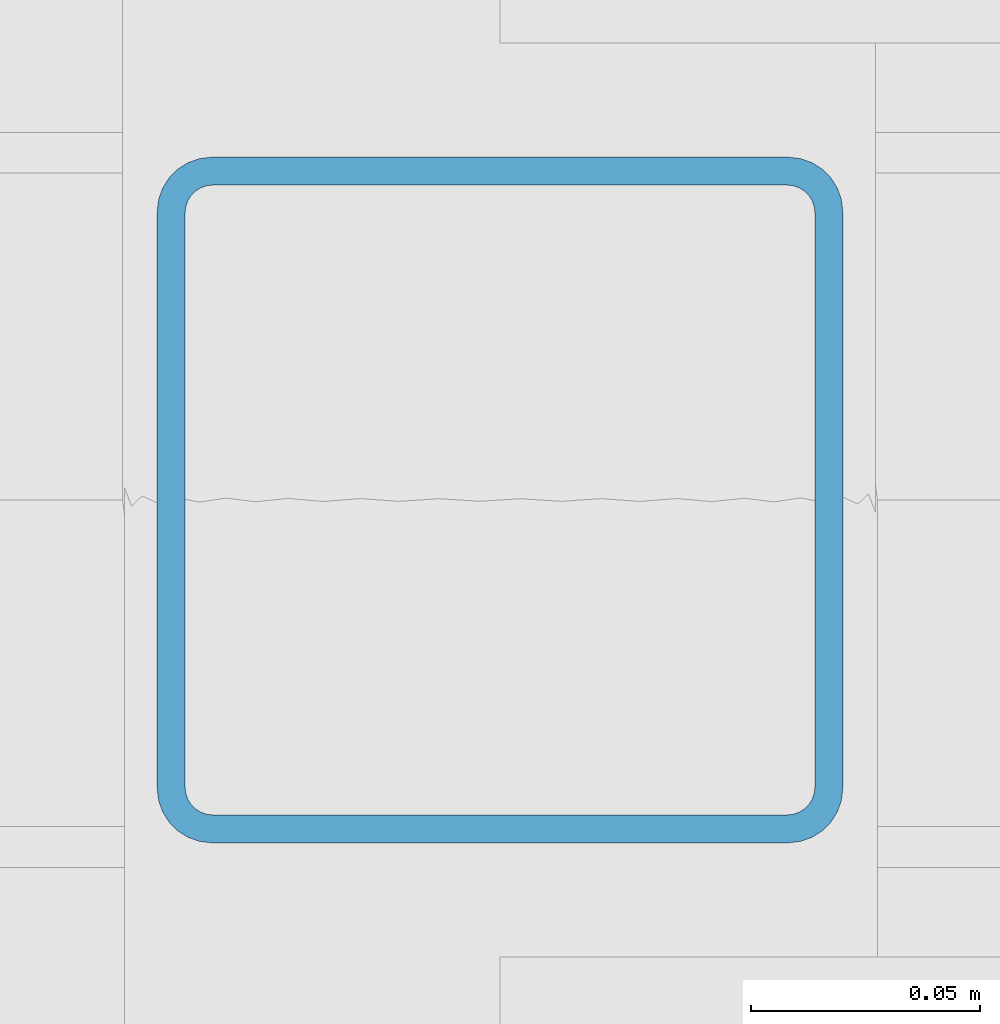
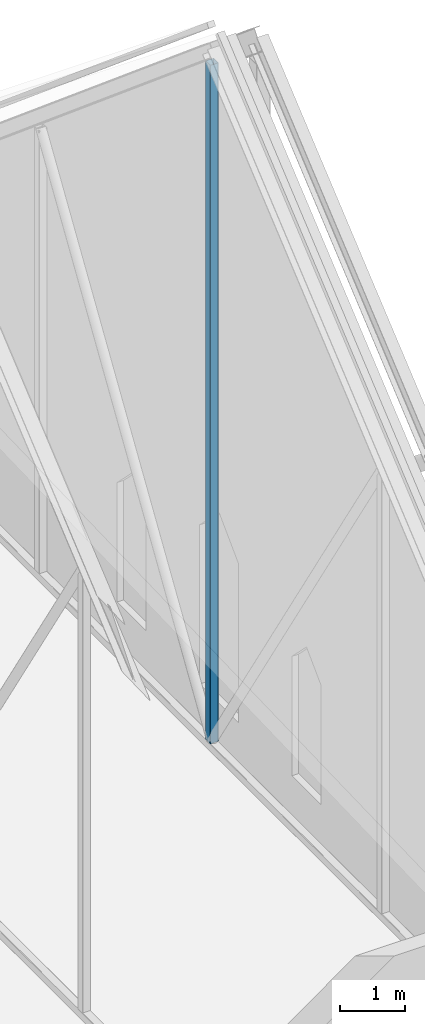
# One storey, part 15 of 29: 1 member.
"""IFC4 building model written with IfcOpenShell, lengths in metres."""

from ifc_helpers import new_model, si_unit, direction, frame, origin, origin_2d, place, context, subcontext, project, spatial, hollow_rectangle, extrude, material, material_profile, profile_set, type_object, element, save


model = new_model("IFC4")

# Units and contexts
model_context = context("Model", 3, precision=1e-05, world=origin(), true_north=direction((0.0, 1.0)))
body_context = subcontext(model_context, "Body", "Model", "MODEL_VIEW")
ifc_project = project(units=[si_unit("LENGTHUNIT", "METRE"), si_unit("AREAUNIT", "SQUARE_METRE"), si_unit("VOLUMEUNIT", "CUBIC_METRE"), si_unit("PLANEANGLEUNIT", "RADIAN"), si_unit("MASSUNIT", "GRAM", prefix="KILO")], contexts=[model_context])

# Site, building, storey
site_placement = place(None, origin())
site = spatial("IfcSite", under=ifc_project, at=site_placement, CompositionType="ELEMENT")
building_placement = place(site_placement, origin())
building = spatial("IfcBuilding", under=site, at=building_placement, Name="Silangan Lancet Faculty of Sciences", CompositionType="ELEMENT")
storey_placement = place(building_placement, frame((0.0, 0.0, 54.300048828125)))
storey = spatial("IfcBuildingStorey", under=building, at=storey_placement, Name="L11", CompositionType="ELEMENT", Elevation=54.300048828125)

# Member
ifc_material = material(Name="Steel STKR400", Category="steel")
ifc_material_profile = material_profile(ifc_material, hollow_rectangle(XDim=0.14990234375, YDim=0.14990234375, WallThickness=0.006103515625, InnerFilletRadius=0.006103515625, OuterFilletRadius=0.011962890625, at=origin_2d()), Name="SHS 150x150x6.0")
ifc_profile_set = profile_set([ifc_material_profile], Name="Steel STKR400")
member_type = type_object("IfcMemberType", Name="Truss post SHS 150x150x6.0", PredefinedType="POST", material=ifc_profile_set)
member_placement = place(storey_placement, frame((28.52490234375, 46.800048828125, 0.14990234375), z_axis=(0.0, 0.0, 1.0), x_axis=(1.0, 0.0, 0.0)))
element("IfcMember", 1, at=member_placement, inside=storey, type_object=member_type, Name="Gable truss 5 king post", PredefinedType="POST", context=body_context, shape_type="SweptSolid", body=[
    extrude(hollow_rectangle(XDim=0.14990234375, YDim=0.14990234375, WallThickness=0.006103515625, InnerFilletRadius=0.006103515625, OuterFilletRadius=0.011962890625, at=origin_2d()), origin(), (0.0, 0.0, 1.0), 12.78515625),
])

save(model, "model.ifc")
